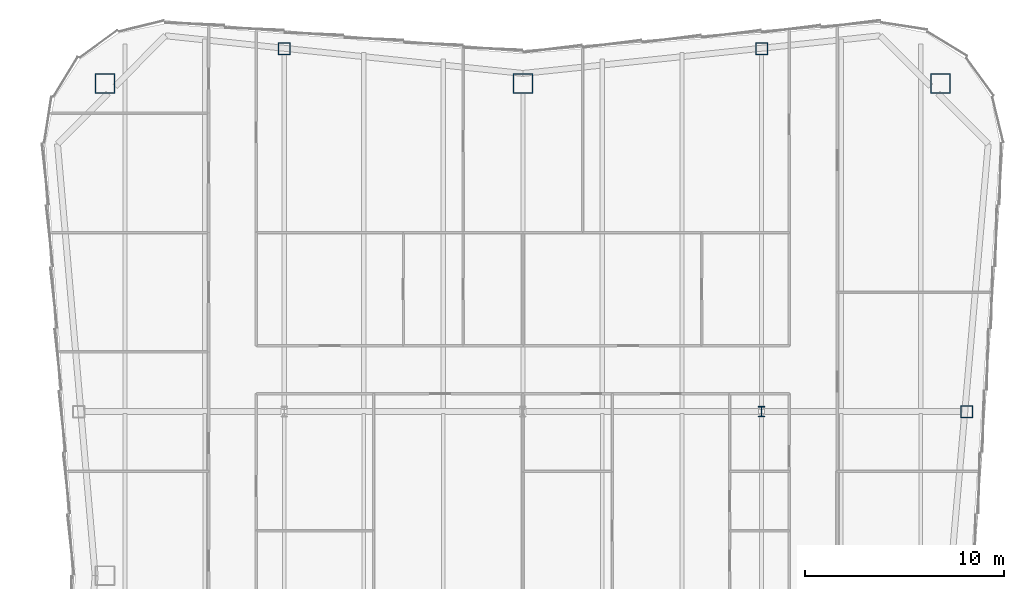
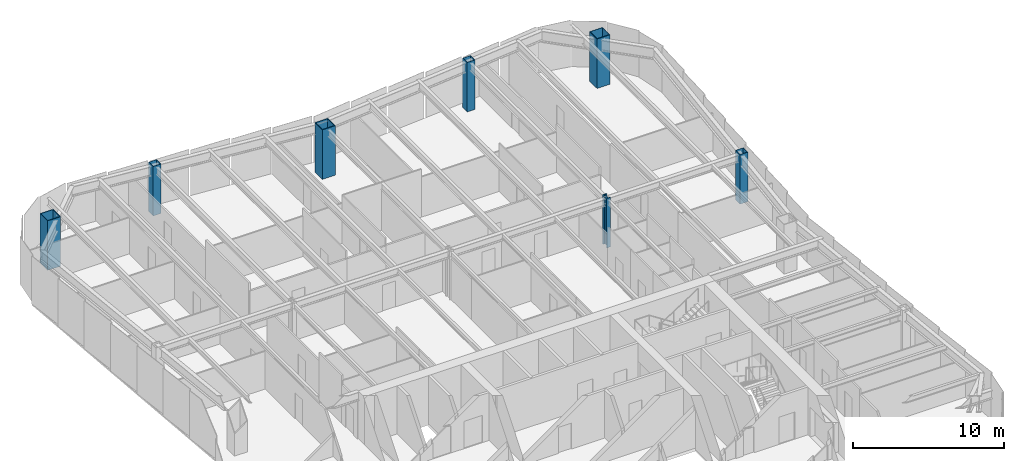
# One storey, part 2 of 12: 7 columns.
"""IFC4 building model written with IfcOpenShell, lengths in metres."""

from ifc_helpers import new_model, si_unit, direction, frame, origin, origin_2d, place, context, subcontext, project, spatial, hollow_rectangle, i_section, extrude, material, material_profile, profile_set, type_object, element, save


model = new_model("IFC4")

# Units and contexts
model_context = context("Model", 3, precision=1e-05, world=origin(), true_north=direction((0.0, 1.0)))
body_context = subcontext(model_context, "Body", "Model", "MODEL_VIEW")
ifc_project = project(units=[si_unit("LENGTHUNIT", "METRE"), si_unit("AREAUNIT", "SQUARE_METRE"), si_unit("VOLUMEUNIT", "CUBIC_METRE"), si_unit("PLANEANGLEUNIT", "RADIAN"), si_unit("MASSUNIT", "GRAM", prefix="KILO")], contexts=[model_context])

# Site, building, storey
site_placement = place(None, origin())
site = spatial("IfcSite", under=ifc_project, at=site_placement, CompositionType="ELEMENT")
building_placement = place(site_placement, origin())
building = spatial("IfcBuilding", under=site, at=building_placement, Name="Verdant Reach Tower", CompositionType="ELEMENT")
storey_placement = place(building_placement, frame((0.0, 0.0, 270.0)))
storey = spatial("IfcBuildingStorey", under=building, at=storey_placement, Name="L62", CompositionType="ELEMENT", Elevation=270.0)

# Columns
ifc_material = material(Name="Steel S460", Category="steel")
ifc_material_profile_1 = material_profile(ifc_material, i_section(OverallWidth=0.305908203125, OverallDepth=0.52392578125, WebThickness=0.012451171875, FlangeThickness=0.0400390625, FilletRadius=0.027099609375, at=origin_2d()), Name="HEM 500")
ifc_profile_set_1 = profile_set([ifc_material_profile_1], Name="Steel S460")
column_type_1 = type_object("IfcColumnType", Name="ST-COL-HEM500", PredefinedType="COLUMN", material=ifc_profile_set_1)
column_placement = place(storey_placement, frame((12.0, 49.5, 0.0), z_axis=(0.0, 0.0, 1.0), x_axis=(1.0, 0.0, 0.0)))
element("IfcColumn", 1, at=column_placement, inside=storey, type_object=column_type_1, Name="Interior column 3, L62", PredefinedType="COLUMN", context=body_context, shape_type="SweptSolid", body=[
    extrude(i_section(OverallWidth=0.305908203125, OverallDepth=0.52392578125, WebThickness=0.012451171875, FlangeThickness=0.0400390625, FilletRadius=0.027099609375, at=origin_2d()), origin(), (0.0, 0.0, 1.0), 4.0),
])
ifc_material_profile_2 = material_profile(ifc_material, hollow_rectangle(XDim=1.0, YDim=1.0, WallThickness=0.044921875, at=origin_2d()), Name="WB 1000x1000x45")
ifc_profile_set_2 = profile_set([ifc_material_profile_2], Name="Steel S460")
column_type_2 = type_object("IfcColumnType", Name="ST-COL-WB1000x1000x45", PredefinedType="COLUMN", material=ifc_profile_set_2)
for number, where, z_axis, x_axis, name in (
    (2, (-21.0, 66.0, 0.0), (0.0, 0.0, 1.0), (1.0, 0.0, 0.0), "Mega column north-west, L62"),
    (3, (0.0, 66.0, 0.0), (0.0, 0.0, 1.0), (1.0, 0.0, 0.0), "Mega column north, L62"),
    (4, (21.0, 66.0, 0.0), (0.0, 0.0, 1.0), (1.0, 0.0, 0.0), "Mega column north-east, L62"),
):
    element("IfcColumn", number, at=place(storey_placement, frame(where, z_axis=z_axis, x_axis=x_axis)), inside=storey, type_object=column_type_2, Name=name, PredefinedType="COLUMN", context=body_context, shape_type="SweptSolid", body=[
        extrude(hollow_rectangle(XDim=1.0, YDim=1.0, WallThickness=0.044921875, at=origin_2d()), origin(), (0.0, 0.0, 1.0), 4.0),
    ])
ifc_material_profile_3 = material_profile(ifc_material, hollow_rectangle(XDim=0.60009765625, YDim=0.60009765625, WallThickness=0.02490234375, at=origin_2d()), Name="WB 600x600x25")
ifc_profile_set_3 = profile_set([ifc_material_profile_3], Name="Steel S460")
column_type_3 = type_object("IfcColumnType", Name="ST-COL-WB600x600x25", PredefinedType="COLUMN", material=ifc_profile_set_3)
for number, where, z_axis, x_axis, name in (
    (5, (-12.0, 67.75, 0.0), (0.0, 0.0, 1.0), (1.0, 0.0, 0.0), "Perimeter column north 1, L62"),
    (6, (12.0, 67.75, 0.0), (0.0, 0.0, 1.0), (1.0, 0.0, 0.0), "Perimeter column north 2, L62"),
    (7, (22.319091796875, 49.5, 0.0), (0.0, 0.0, 1.0), (1.0, 0.0, 0.0), "Perimeter column east 2, L62"),
):
    element("IfcColumn", number, at=place(storey_placement, frame(where, z_axis=z_axis, x_axis=x_axis)), inside=storey, type_object=column_type_3, Name=name, PredefinedType="COLUMN", context=body_context, shape_type="SweptSolid", body=[
        extrude(hollow_rectangle(XDim=0.60009765625, YDim=0.60009765625, WallThickness=0.02490234375, at=origin_2d()), origin(), (0.0, 0.0, 1.0), 4.0),
    ])

save(model, "model.ifc")
